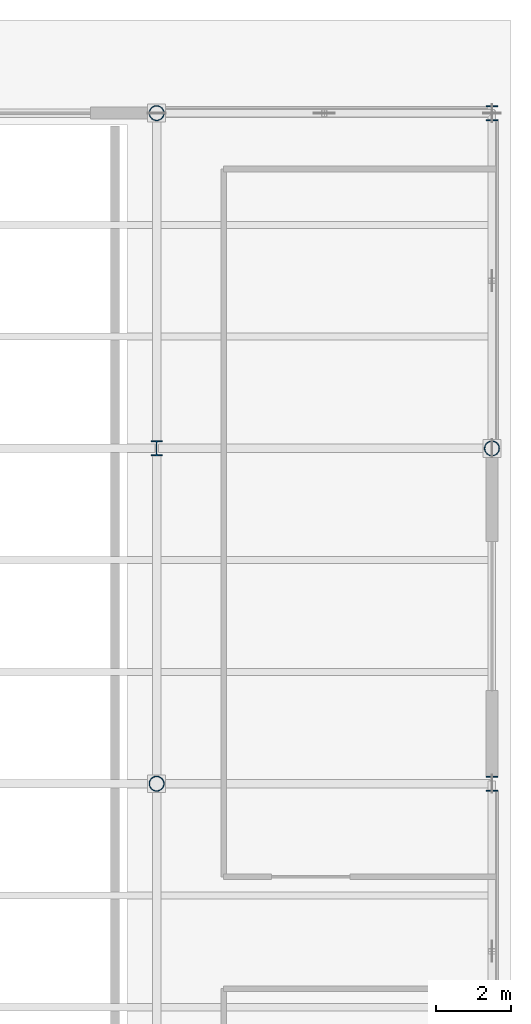
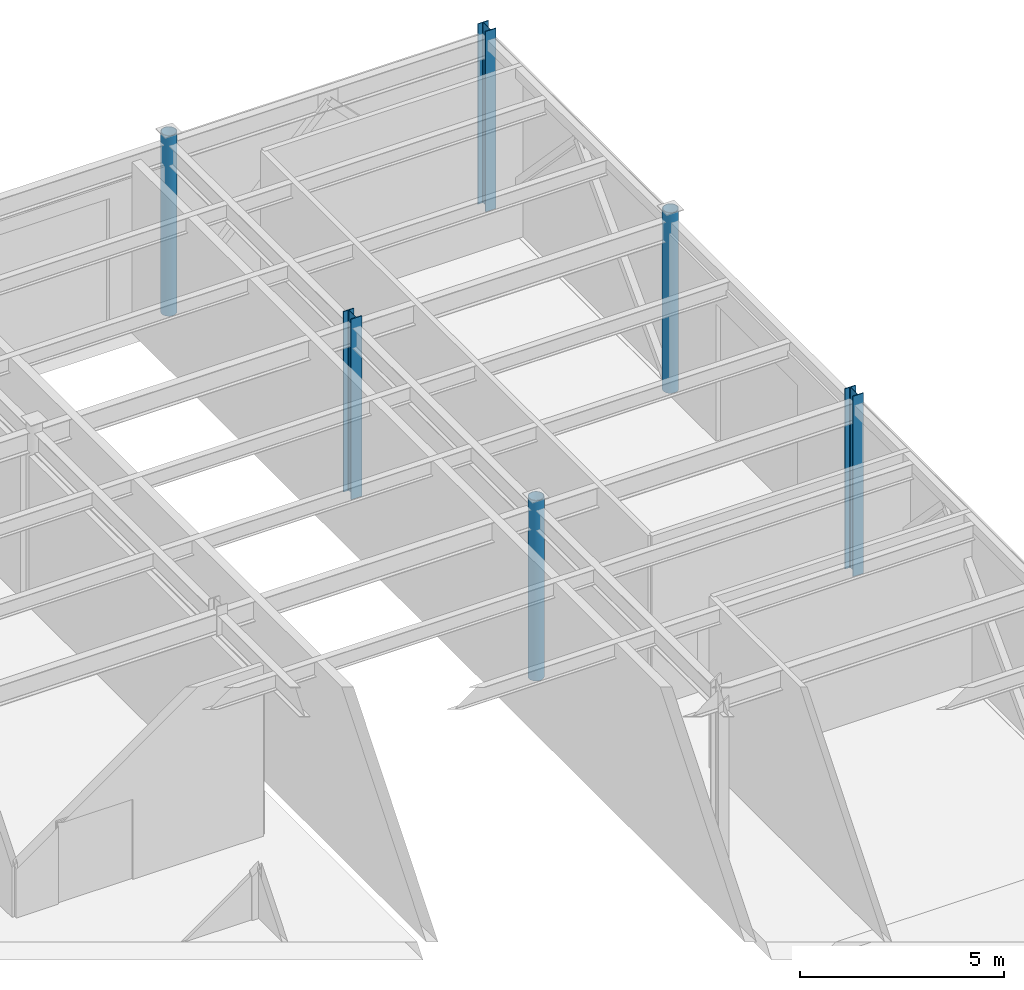
# One storey, part 21 of 79: 6 columns.
"""IFC4 building model written with IfcOpenShell, lengths in metres."""

from ifc_helpers import new_model, si_unit, direction, frame, origin, origin_2d, place, context, subcontext, project, spatial, hollow_circle, i_section, extrude, material, material_profile, profile_set, type_object, element, save


model = new_model("IFC4")

# Units and contexts
model_context = context("Model", 3, precision=1e-05, world=origin(), true_north=direction((0.0, 1.0)))
body_context = subcontext(model_context, "Body", "Model", "MODEL_VIEW")
ifc_project = project(units=[si_unit("LENGTHUNIT", "METRE"), si_unit("AREAUNIT", "SQUARE_METRE"), si_unit("VOLUMEUNIT", "CUBIC_METRE"), si_unit("PLANEANGLEUNIT", "RADIAN"), si_unit("MASSUNIT", "GRAM", prefix="KILO")], contexts=[model_context])

# Site, building, storey
site_placement = place(None, origin())
site = spatial("IfcSite", under=ifc_project, at=site_placement, CompositionType="ELEMENT")
building_placement = place(site_placement, origin())
building = spatial("IfcBuilding", under=site, at=building_placement, Name="Glasvene Arena", CompositionType="ELEMENT")
storey_placement = place(building_placement, origin())
storey = spatial("IfcBuildingStorey", under=building, at=storey_placement, Name="L00", CompositionType="ELEMENT", Elevation=0.0)

# Columns
ifc_material = material(Name="Steel S355J2", Category="steel")
ifc_material_profile_1 = material_profile(ifc_material, hollow_circle(Radius=0.203125, WallThickness=0.01611328125, at=origin_2d()), Name="CHS 406.4x16.0")
ifc_profile_set_1 = profile_set([ifc_material_profile_1], Name="Steel S355J2")
column_type_1 = type_object("IfcColumnType", Name="COL-W-CHS406", PredefinedType="COLUMN", material=ifc_profile_set_1)
for number, where, z_axis, x_axis, name in (
    (1, (165.0, 100.0, 0.0), (0.0, 0.0, 1.0), (1.0, 0.0, 0.0), "Grid column 19-12 L00"),
    (2, (165.0, 118.0, 0.0), (0.0, 0.0, 1.0), (1.0, 0.0, 0.0), "Grid column 19-14 L00"),
    (3, (174.0, 109.0, 0.0), (0.0, 0.0, 1.0), (1.0, 0.0, 0.0), "Grid column 20-13 L00"),
):
    element("IfcColumn", number, at=place(storey_placement, frame(where, z_axis=z_axis, x_axis=x_axis)), inside=storey, type_object=column_type_1, Name=name, PredefinedType="COLUMN", context=body_context, shape_type="SweptSolid", body=[
        extrude(hollow_circle(Radius=0.203125, WallThickness=0.01611328125, at=origin_2d()), origin(), (0.0, 0.0, 1.0), 5.39990234375),
    ])
ifc_material_profile_2 = material_profile(ifc_material, i_section(OverallWidth=0.300048828125, OverallDepth=0.39990234375, WebThickness=0.013427734375, FlangeThickness=0.02392578125, FilletRadius=0.027099609375, at=origin_2d()), Name="HEB 400")
ifc_profile_set_2 = profile_set([ifc_material_profile_2], Name="Steel S355J2")
column_type_2 = type_object("IfcColumnType", Name="COL-W-HEB400", PredefinedType="COLUMN", material=ifc_profile_set_2)
for number, where, z_axis, x_axis, name in (
    (4, (165.0, 109.0, 0.0), (0.0, 0.0, 1.0), (1.0, 0.0, 0.0), "Grid column 19-13 L00"),
    (5, (174.0, 100.0, 0.0), (0.0, 0.0, 1.0), (1.0, 0.0, 0.0), "Grid column 20-12 L00"),
    (6, (174.0, 118.0, 0.0), (0.0, 0.0, 1.0), (1.0, 0.0, 0.0), "Grid column 20-14 L00"),
):
    element("IfcColumn", number, at=place(storey_placement, frame(where, z_axis=z_axis, x_axis=x_axis)), inside=storey, type_object=column_type_2, Name=name, PredefinedType="COLUMN", context=body_context, shape_type="SweptSolid", body=[
        extrude(i_section(OverallWidth=0.300048828125, OverallDepth=0.39990234375, WebThickness=0.013427734375, FlangeThickness=0.02392578125, FilletRadius=0.027099609375, at=origin_2d()), origin(), (0.0, 0.0, 1.0), 5.39990234375),
    ])

save(model, "model.ifc")
